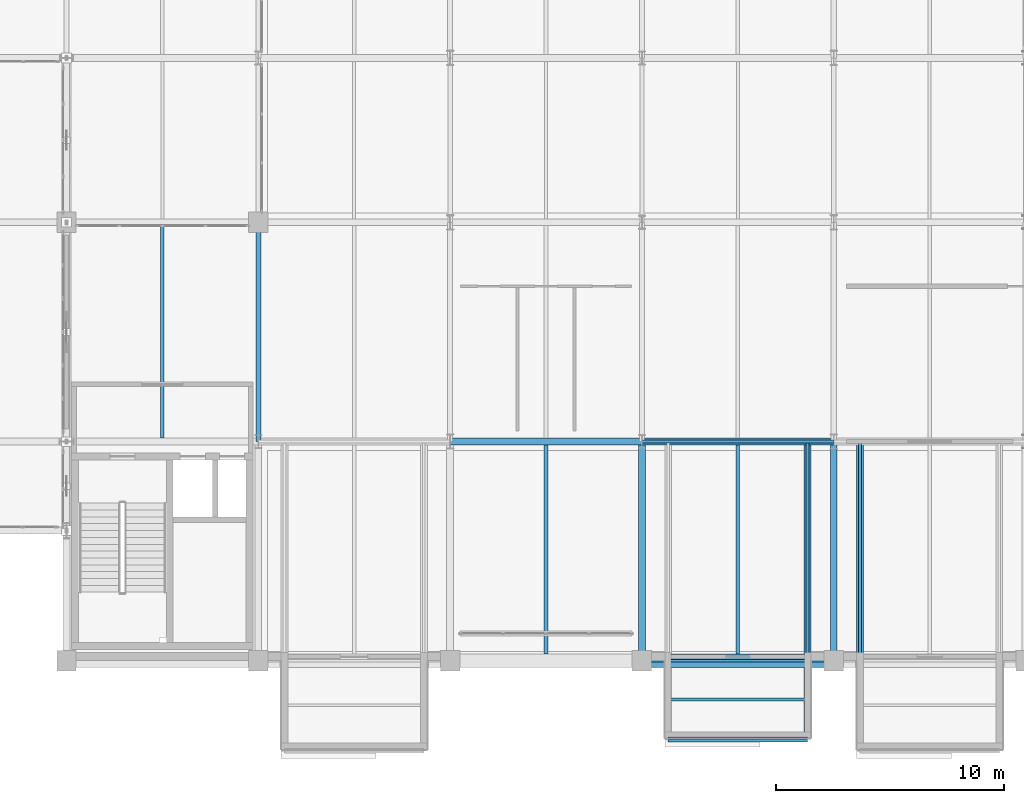
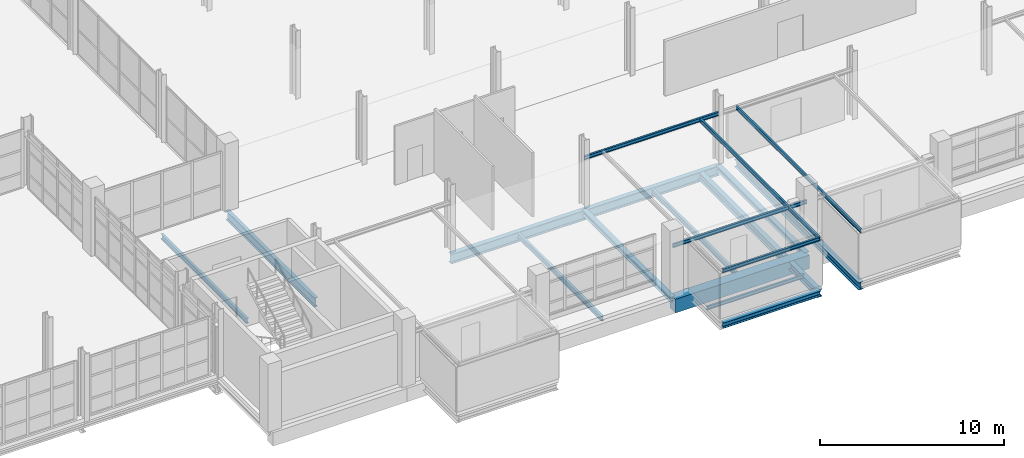
# One storey, part 29 of 130: 18 beams.
"""IFC4 building model written with IfcOpenShell, lengths in metres."""

from ifc_helpers import new_model, si_unit, direction, frame, origin, origin_2d, place, context, subcontext, project, spatial, rectangle, i_section, extrude, material, material_profile, profile_set, type_object, element, save


model = new_model("IFC4")

# Units and contexts
model_context = context("Model", 3, precision=1e-05, world=origin(), true_north=direction((0.0, 1.0)))
body_context = subcontext(model_context, "Body", "Model", "MODEL_VIEW")
ifc_project = project(units=[si_unit("LENGTHUNIT", "METRE"), si_unit("AREAUNIT", "SQUARE_METRE"), si_unit("VOLUMEUNIT", "CUBIC_METRE"), si_unit("PLANEANGLEUNIT", "RADIAN"), si_unit("MASSUNIT", "GRAM", prefix="KILO")], contexts=[model_context])

# Site, building, storey
site_placement = place(None, origin())
site = spatial("IfcSite", under=ifc_project, at=site_placement, CompositionType="ELEMENT")
building_placement = place(site_placement, origin())
building = spatial("IfcBuilding", under=site, at=building_placement, Name="Veltarok Museum of Natural Sciences", CompositionType="ELEMENT")
storey_placement = place(building_placement, frame((0.0, 0.0, 12.89990234375)))
storey = spatial("IfcBuildingStorey", under=building, at=storey_placement, Name="L02", CompositionType="ELEMENT", Elevation=12.89990234375)

# Beams
ifc_material_1 = material(Name="Steel S355J2", Category="steel")
ifc_material_profile_1 = material_profile(ifc_material_1, i_section(OverallWidth=0.300048828125, OverallDepth=0.5, WebThickness=0.014404296875, FlangeThickness=0.028076171875, FilletRadius=0.027099609375, at=origin_2d()), Name="HEB 500")
ifc_profile_set_1 = profile_set([ifc_material_profile_1], Name="Steel S355J2")
beam_type_1 = type_object("IfcBeamType", Name="Cabinet Box Cantilever Girder HEB 500", PredefinedType="BEAM", material=ifc_profile_set_1)
beam_1_placement = place(storey_placement, frame((64.050048828125, -3.39990234375, -0.5), z_axis=(0.0, 1.0, 0.0), x_axis=(-1.0, 0.0, 0.0)))
element("IfcBeam", 1, at=beam_1_placement, inside=storey, type_object=beam_type_1, Name="Cabinet Cantilever Girder DB-08-2", PredefinedType="BEAM", context=body_context, shape_type="SweptSolid", body=[
    extrude(i_section(OverallWidth=0.300048828125, OverallDepth=0.5, WebThickness=0.014404296875, FlangeThickness=0.028076171875, FilletRadius=0.027099609375, at=origin_2d()), origin(), (0.0, 0.0, 1.0), 13.0),
])
beam_2_placement = place(storey_placement, frame((66.35009765625, -3.89990234375, -0.5), z_axis=(0.0, 1.0, 0.0), x_axis=(-1.0, 0.0, 0.0)))
element("IfcBeam", 2, at=beam_2_placement, inside=storey, type_object=beam_type_1, Name="Cabinet Cantilever Girder DB-09-1", PredefinedType="BEAM", context=body_context, shape_type="SweptSolid", body=[
    extrude(i_section(OverallWidth=0.300048828125, OverallDepth=0.5, WebThickness=0.014404296875, FlangeThickness=0.028076171875, FilletRadius=0.027099609375, at=origin_2d()), origin(), (0.0, 0.0, 1.0), 13.5),
])
ifc_material_profile_2 = material_profile(ifc_material_1, i_section(OverallWidth=0.1201171875, OverallDepth=0.239990234375, WebThickness=0.006103515625, FlangeThickness=0.009765625, FilletRadius=0.014892578125, at=origin_2d()), Name="IPE 240")
ifc_profile_set_2 = profile_set([ifc_material_profile_2], Name="Steel S355J2")
beam_type_2 = type_object("IfcBeamType", Name="Cabinet Box Secondary Joist IPE 240", PredefinedType="JOIST", material=ifc_profile_set_2)
beam_3_placement = place(storey_placement, frame((64.050048828125, -3.39990234375, 3.130126953125), z_axis=(0.0, 1.0, 0.0), x_axis=(-1.0, 0.0, 0.0)))
element("IfcBeam", 3, at=beam_3_placement, inside=storey, type_object=beam_type_2, Name="Cabinet Roof Rafter DB-08-2", PredefinedType="JOIST", context=body_context, shape_type="SweptSolid", body=[
    extrude(i_section(OverallWidth=0.1201171875, OverallDepth=0.239990234375, WebThickness=0.006103515625, FlangeThickness=0.009765625, FilletRadius=0.014892578125, at=origin_2d()), origin(), (0.0, 0.0, 1.0), 13.0),
])
for number, where, z_axis, x_axis, name in (
    (4, (56.800048828125, 0.0, 3.130126953125), (1.0, 0.0, 0.0), (0.0, 1.0, 0.0), "Cabinet Roof Tie Beam DB-08-P"),
    (5, (56.800048828125, 9.60009765625, 3.130126953125), (1.0, 0.0, 0.0), (0.0, 1.0, 0.0), "Cabinet Roof Tie Beam DB-08-I"),
):
    element("IfcBeam", number, at=place(storey_placement, frame(where, z_axis=z_axis, x_axis=x_axis)), inside=storey, type_object=beam_type_2, Name=name, PredefinedType="JOIST", context=body_context, shape_type="SweptSolid", body=[
        extrude(i_section(OverallWidth=0.1201171875, OverallDepth=0.239990234375, WebThickness=0.006103515625, FlangeThickness=0.009765625, FilletRadius=0.014892578125, at=origin_2d()), origin(), (0.0, 0.0, 1.0), 8.39990234375),
    ])
for number, where, z_axis, x_axis, name in (
    (6, (57.949951171875, -3.39990234375, 3.130126953125), (1.0, 0.0, 0.0), (0.0, 1.0, 0.0), "Cabinet Roof Tip Header DB-08"),
    (7, (57.949951171875, -1.699951171875, -0.369873046875), (1.0, 0.0, 0.0), (0.0, 1.0, 0.0), "Cabinet Box Joist DB-08"),
):
    element("IfcBeam", number, at=place(storey_placement, frame(where, z_axis=z_axis, x_axis=x_axis)), inside=storey, type_object=beam_type_2, Name=name, PredefinedType="JOIST", context=body_context, shape_type="SweptSolid", body=[
        extrude(i_section(OverallWidth=0.1201171875, OverallDepth=0.239990234375, WebThickness=0.006103515625, FlangeThickness=0.009765625, FilletRadius=0.014892578125, at=origin_2d()), origin(), (0.0, 0.0, 1.0), 6.10009765625),
    ])
beam_4_placement = place(storey_placement, frame((66.35009765625, -3.89990234375, 3.130126953125), z_axis=(0.0, 1.0, 0.0), x_axis=(-1.0, 0.0, 0.0)))
element("IfcBeam", 8, at=beam_4_placement, inside=storey, type_object=beam_type_2, Name="Cabinet Roof Rafter DB-09-1", PredefinedType="JOIST", context=body_context, shape_type="SweptSolid", body=[
    extrude(i_section(OverallWidth=0.1201171875, OverallDepth=0.239990234375, WebThickness=0.006103515625, FlangeThickness=0.009765625, FilletRadius=0.014892578125, at=origin_2d()), origin(), (0.0, 0.0, 1.0), 13.5),
])
ifc_material_profile_3 = material_profile(ifc_material_1, i_section(OverallWidth=0.300048828125, OverallDepth=0.35009765625, WebThickness=0.010009765625, FlangeThickness=0.017578125, FilletRadius=0.027099609375, at=origin_2d()), Name="HEA 360")
ifc_profile_set_3 = profile_set([ifc_material_profile_3], Name="Steel S355J2")
beam_type_3 = type_object("IfcBeamType", Name="Cabinet Box Tip Header HEA 360", PredefinedType="BEAM", material=ifc_profile_set_3)
beam_5_placement = place(storey_placement, frame((57.949951171875, -3.39990234375, -0.4248046875), z_axis=(1.0, 0.0, 0.0), x_axis=(0.0, 1.0, 0.0)))
element("IfcBeam", 9, at=beam_5_placement, inside=storey, type_object=beam_type_3, Name="Cabinet Tip Header DB-08", PredefinedType="BEAM", context=body_context, shape_type="SweptSolid", body=[
    extrude(i_section(OverallWidth=0.300048828125, OverallDepth=0.35009765625, WebThickness=0.010009765625, FlangeThickness=0.017578125, FilletRadius=0.027099609375, at=origin_2d()), origin(), (0.0, 0.0, 1.0), 6.10009765625),
])
ifc_material_2 = material(Name="Concrete C40/50", Category="concrete")
ifc_material_profile_4 = material_profile(ifc_material_2, rectangle(XDim=0.60009765625, YDim=0.89990234375, at=origin_2d()), Name="RC 600x900")
ifc_profile_set_4 = profile_set([ifc_material_profile_4], Name="Concrete C40/50")
beam_type_4 = type_object("IfcBeamType", Name="Exposed Cabinet Perimeter Spandrel RC 600x900", PredefinedType="SPANDREL", material=ifc_profile_set_4)
beam_6_placement = place(storey_placement, frame((56.800048828125, 0.0, -0.699951171875), z_axis=(1.0, 0.0, 0.0), x_axis=(0.0, 1.0, 0.0)))
element("IfcBeam", 10, at=beam_6_placement, inside=storey, type_object=beam_type_4, Name="Beam BM-SP01 L02 7-8/A", PredefinedType="SPANDREL", context=body_context, shape_type="SweptSolid", body=[
    extrude(rectangle(XDim=0.60009765625, YDim=0.89990234375, at=origin_2d()), origin(), (0.0, 0.0, 1.0), 8.39990234375),
])
ifc_material_profile_5 = material_profile(ifc_material_1, i_section(OverallWidth=0.300048828125, OverallDepth=0.639892578125, WebThickness=0.013427734375, FlangeThickness=0.02587890625, FilletRadius=0.027099609375, at=origin_2d()), Name="HEA 650")
ifc_profile_set_5 = profile_set([ifc_material_profile_5], Name="Steel S355J2")
beam_type_5 = type_object("IfcBeamType", Name="Heavy Exhibition Girder HEA 650", PredefinedType="BEAM", material=ifc_profile_set_5)
beam_7_placement = place(storey_placement, frame((48.39990234375, 9.60009765625, -0.56982421875), z_axis=(1.0, 0.0, 0.0), x_axis=(0.0, 1.0, 0.0)))
element("IfcBeam", 11, at=beam_7_placement, inside=storey, type_object=beam_type_5, Name="Beam BM-G08 L02 6-7/B", PredefinedType="BEAM", context=body_context, shape_type="SweptSolid", body=[
    extrude(i_section(OverallWidth=0.300048828125, OverallDepth=0.639892578125, WebThickness=0.013427734375, FlangeThickness=0.02587890625, FilletRadius=0.027099609375, at=origin_2d()), origin(), (0.0, 0.0, 1.0), 8.400146484375),
])
beam_8_placement = place(storey_placement, frame((56.800048828125, 9.60009765625, -0.56982421875), z_axis=(1.0, 0.0, 0.0), x_axis=(0.0, 1.0, 0.0)))
element("IfcBeam", 12, at=beam_8_placement, inside=storey, type_object=beam_type_5, Name="Beam BM-G08 L02 7-8/B", PredefinedType="BEAM", context=body_context, shape_type="SweptSolid", body=[
    extrude(i_section(OverallWidth=0.300048828125, OverallDepth=0.639892578125, WebThickness=0.013427734375, FlangeThickness=0.02587890625, FilletRadius=0.027099609375, at=origin_2d()), origin(), (0.0, 0.0, 1.0), 8.39990234375),
])
ifc_material_profile_6 = material_profile(ifc_material_1, i_section(OverallWidth=0.159912109375, OverallDepth=0.330078125, WebThickness=0.007568359375, FlangeThickness=0.011474609375, FilletRadius=0.01806640625, at=origin_2d()), Name="IPE 330")
ifc_profile_set_6 = profile_set([ifc_material_profile_6], Name="Steel S355J2")
beam_type_6 = type_object("IfcBeamType", Name="Medium-Bay Composite Joist IPE 330", PredefinedType="JOIST", material=ifc_profile_set_6)
beam_9_placement = place(storey_placement, frame((35.800048828125, 9.748046875, -0.414794921875), z_axis=(0.0, 1.0, 0.0), x_axis=(-1.0, 0.0, 0.0)))
element("IfcBeam", 13, at=beam_9_placement, inside=storey, type_object=beam_type_6, Name="Secondary Joist BM-J02 L02 4-5/B-C.1", PredefinedType="JOIST", context=body_context, shape_type="SweptSolid", body=[
    extrude(i_section(OverallWidth=0.159912109375, OverallDepth=0.330078125, WebThickness=0.007568359375, FlangeThickness=0.011474609375, FilletRadius=0.01806640625, at=origin_2d()), origin(), (0.0, 0.0, 1.0), 9.303955078125),
])
for number, where, z_axis, x_axis, name in (
    (14, (52.60009765625, 0.298095703125, -0.414794921875), (0.0, 1.0, 0.0), (-1.0, 0.0, 0.0), "Secondary Joist BM-J02 L02 6-7/A-B.1"),
    (15, (61.0, 0.298095703125, -0.414794921875), (0.0, 1.0, 0.0), (-1.0, 0.0, 0.0), "Secondary Joist BM-J02 L02 7-8/A-B.1"),
):
    element("IfcBeam", number, at=place(storey_placement, frame(where, z_axis=z_axis, x_axis=x_axis)), inside=storey, type_object=beam_type_6, Name=name, PredefinedType="JOIST", context=body_context, shape_type="SweptSolid", body=[
        extrude(i_section(OverallWidth=0.159912109375, OverallDepth=0.330078125, WebThickness=0.007568359375, FlangeThickness=0.011474609375, FilletRadius=0.01806640625, at=origin_2d()), origin(), (0.0, 0.0, 1.0), 9.15380859375),
    ])
ifc_material_profile_7 = material_profile(ifc_material_1, i_section(OverallWidth=0.300048828125, OverallDepth=0.330078125, WebThickness=0.009521484375, FlangeThickness=0.0166015625, FilletRadius=0.027099609375, at=origin_2d()), Name="HEA 340")
ifc_profile_set_7 = profile_set([ifc_material_profile_7], Name="Steel S355J2")
beam_type_7 = type_object("IfcBeamType", Name="Perimeter Upper Spandrel HEA 340", PredefinedType="SPANDREL", material=ifc_profile_set_7)
for number, where, z_axis, x_axis, name in (
    (16, (56.800048828125, 0.0, -0.414794921875), (0.0, 1.0, 0.0), (-1.0, 0.0, 0.0), "Beam BM-SP05 L02 7/A-B"),
    (17, (65.199951171875, 0.0, -0.414794921875), (0.0, 1.0, 0.0), (-1.0, 0.0, 0.0), "Beam BM-SP05 L02 8/A-B"),
):
    element("IfcBeam", number, at=place(storey_placement, frame(where, z_axis=z_axis, x_axis=x_axis)), inside=storey, type_object=beam_type_7, Name=name, PredefinedType="SPANDREL", context=body_context, shape_type="SweptSolid", body=[
        extrude(i_section(OverallWidth=0.300048828125, OverallDepth=0.330078125, WebThickness=0.009521484375, FlangeThickness=0.0166015625, FilletRadius=0.027099609375, at=origin_2d()), origin(), (0.0, 0.0, 1.0), 9.60009765625),
    ])
ifc_material_profile_8 = material_profile(ifc_material_1, i_section(OverallWidth=0.219970703125, OverallDepth=0.60009765625, WebThickness=0.011962890625, FlangeThickness=0.01904296875, FilletRadius=0.02392578125, at=origin_2d()), Name="IPE 600")
ifc_profile_set_8 = profile_set([ifc_material_profile_8], Name="Steel S355J2")
beam_type_8 = type_object("IfcBeamType", Name="Primary Museum Girder IPE 600", PredefinedType="BEAM", material=ifc_profile_set_8)
beam_10_placement = place(storey_placement, frame((40.0, 9.60009765625, -0.5498046875), z_axis=(0.0, 1.0, 0.0), x_axis=(-1.0, 0.0, 0.0)))
element("IfcBeam", 18, at=beam_10_placement, inside=storey, type_object=beam_type_8, Name="Beam BM-G02 L02 5/B-C", PredefinedType="BEAM", context=body_context, shape_type="SweptSolid", body=[
    extrude(i_section(OverallWidth=0.219970703125, OverallDepth=0.60009765625, WebThickness=0.011962890625, FlangeThickness=0.01904296875, FilletRadius=0.02392578125, at=origin_2d()), origin(), (0.0, 0.0, 1.0), 9.599853515625),
])

save(model, "model.ifc")
